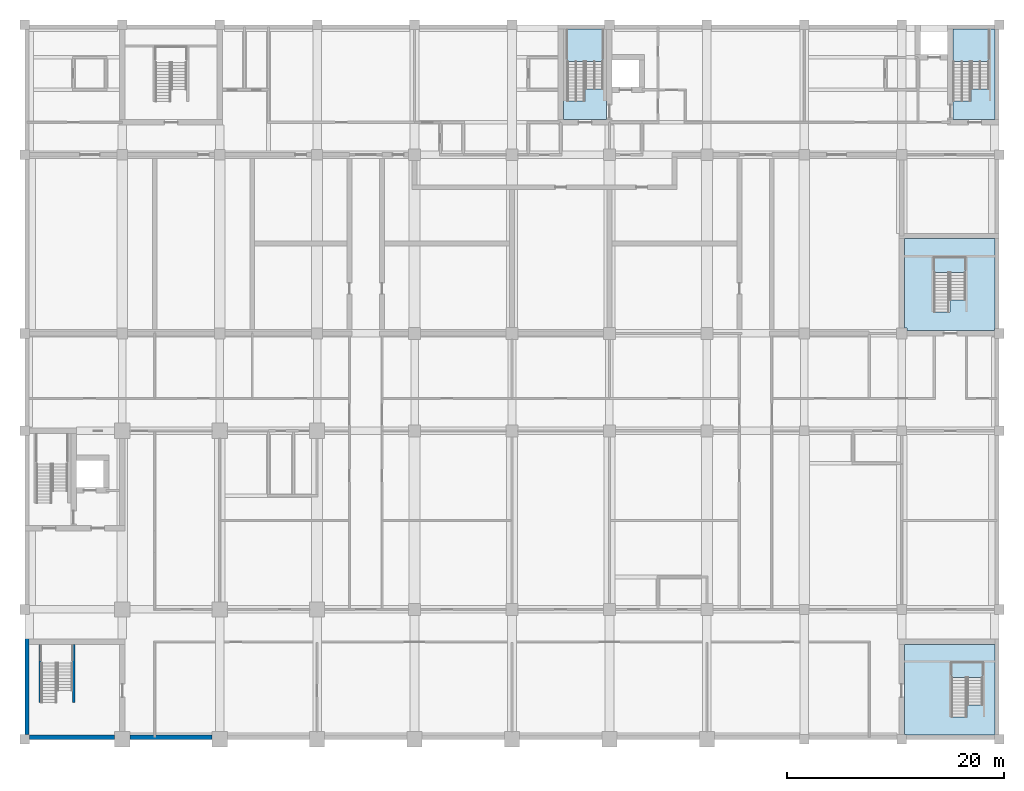
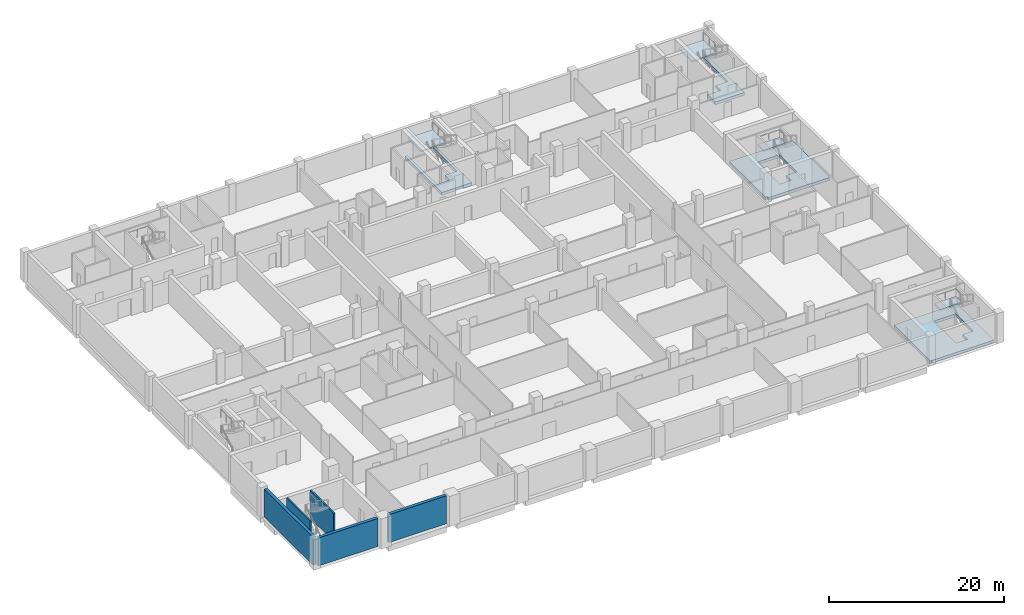
# One storey, part 3 of 16: 8 slabs, 5 walls, 4 elements without a shape of their own.
"""IFC4 building model written with IfcOpenShell, lengths in metres."""

from ifc_helpers import new_model, si_unit, direction, frame, frame_2d, origin, place, context, subcontext, project, spatial, polyline, rectangle, outline, extrude, material, layer, layer_set, type_object, element, aggregate, save


model = new_model("IFC4")

# Units and contexts
model_context = context("Model", 3, precision=1e-05, world=origin(), true_north=direction((0.0, 1.0)))
body_context = subcontext(model_context, "Body", "Model", "MODEL_VIEW")
ifc_project = project(units=[si_unit("LENGTHUNIT", "METRE"), si_unit("AREAUNIT", "SQUARE_METRE"), si_unit("VOLUMEUNIT", "CUBIC_METRE"), si_unit("PLANEANGLEUNIT", "RADIAN"), si_unit("MASSUNIT", "GRAM", prefix="KILO")], contexts=[model_context])

# Site, building, storey
site_placement = place(None, origin())
site = spatial("IfcSite", under=ifc_project, at=site_placement, CompositionType="ELEMENT")
building_placement = place(site_placement, origin())
building = spatial("IfcBuilding", under=site, at=building_placement, Name="Aurelan Courthouse", CompositionType="ELEMENT")
storey_placement = place(building_placement, frame((0.0, 0.0, -4.199951171875)))
storey = spatial("IfcBuildingStorey", under=building, at=storey_placement, Name="B1", CompositionType="ELEMENT", Elevation=-4.199951171875)

# Stair, slab
ifc_material_1 = material(Name="Concrete C30", Category="concrete")
stair_type_1 = type_object("IfcStairType", Name="Half-turn stair 1400 wide 24 risers", PredefinedType="HALF_TURN_STAIR", material=ifc_material_1)
stair_1_placement = place(storey_placement, origin())
stair_1 = element("IfcStair", 1, at=stair_1_placement, inside=storey, type_object=stair_type_1, Name="Stair BS-2-B1", PredefinedType="HALF_TURN_STAIR")
ifc_layer_1 = layer(ifc_material_1, 0.39990234375)
ifc_layer_set_1 = layer_set([ifc_layer_1], Name="Concrete C30")
slab_type_1 = type_object("IfcSlabType", Name="Stair floor landing 400 thick", PredefinedType="LANDING", material=ifc_layer_set_1)
slab_1_placement = place(storey_placement, frame((0.0, 0.0, -0.400146484375)))
slab_1 = element("IfcSlab", 2, at=slab_1_placement, type_object=slab_type_1, Name="Stair BS-2-B1 floor landing", PredefinedType="LANDING", context=body_context, shape_type="SweptSolid", body=[
    extrude(outline(polyline([(89.60009765625, 0.449951171875), (89.550048828125, 0.449951171875), (89.550048828125, 0.39990234375), (81.449951171875, 0.39990234375), (81.449951171875, 0.449951171875), (81.25, 0.449951171875), (81.25, 8.75), (89.60009765625, 8.75), (89.60009765625, 0.449951171875)]), holes=[polyline([(85.590087890625, 7.094970703125), (85.590087890625, 2.055908203125), (87.090087890625, 2.055908203125), (87.090087890625, 3.176025390625), (88.489990234375, 3.176025390625), (88.489990234375, 7.094970703125), (85.590087890625, 7.094970703125)])]), origin(), (0.0, 0.0, 1.0), 0.400146484375),
])

stair_2_placement = place(storey_placement, origin())
stair_2 = element("IfcStair", 3, at=stair_2_placement, inside=storey, type_object=stair_type_1, Name="Stair BS-4-B1", PredefinedType="HALF_TURN_STAIR")
slab_2_placement = place(storey_placement, frame((0.0, 0.0, -0.400146484375)))
slab_2 = element("IfcSlab", 4, at=slab_2_placement, type_object=slab_type_1, Name="Stair BS-4-B1 floor landing", PredefinedType="LANDING", context=body_context, shape_type="SweptSolid", body=[
    extrude(outline(polyline([(89.60009765625, 37.949951171875), (89.550048828125, 37.949951171875), (89.550048828125, 37.75), (81.5, 37.75), (81.5, 38.0), (81.25, 38.0), (81.25, 46.25), (89.60009765625, 46.25), (89.60009765625, 37.949951171875)]), holes=[polyline([(83.97509765625, 44.52001953125), (83.97509765625, 39.48095703125), (85.47509765625, 39.48095703125), (85.47509765625, 40.60107421875), (86.875, 40.60107421875), (86.875, 44.52001953125), (83.97509765625, 44.52001953125)])]), origin(), (0.0, 0.0, 1.0), 0.400146484375),
])

stair_type_2 = type_object("IfcStairType", Name="Half-turn stair 1600 wide 24 risers", PredefinedType="HALF_TURN_STAIR", material=ifc_material_1)
stair_3_placement = place(storey_placement, origin())
stair_3 = element("IfcStair", 5, at=stair_3_placement, inside=storey, type_object=stair_type_2, Name="Stair ST-2A-B1", PredefinedType="HALF_TURN_STAIR")
slab_3_placement = place(storey_placement, frame((0.0, 0.0, -0.400146484375)))
slab_3 = element("IfcSlab", 6, at=slab_3_placement, type_object=slab_type_1, Name="Stair ST-2A-B1 floor landing", PredefinedType="LANDING", context=body_context, shape_type="SweptSolid", body=[
    extrude(outline(polyline([(50.10009765625, 58.9609375), (51.800048828125, 58.9609375), (51.800048828125, 60.0810546875), (53.39990234375, 60.0810546875), (53.39990234375, 65.60009765625), (53.550048828125, 65.60009765625), (53.550048828125, 65.550048828125), (53.75, 65.550048828125), (53.75, 57.25), (49.75, 57.25), (49.75, 65.60009765625), (50.10009765625, 65.60009765625), (50.10009765625, 58.9609375)])), origin(), (0.0, 0.0, 1.0), 0.400146484375),
])

stair_4_placement = place(storey_placement, origin())
stair_4 = element("IfcStair", 7, at=stair_4_placement, inside=storey, type_object=stair_type_2, Name="Stair ST-3B-B1", PredefinedType="HALF_TURN_STAIR")
slab_4_placement = place(storey_placement, frame((0.0, 0.0, -0.400146484375)))
slab_4 = element("IfcSlab", 8, at=slab_4_placement, type_object=slab_type_1, Name="Stair ST-3B-B1 floor landing", PredefinedType="LANDING", context=body_context, shape_type="SweptSolid", body=[
    extrude(outline(polyline([(87.449951171875, 60.0810546875), (89.050048828125, 60.0810546875), (89.050048828125, 65.60009765625), (89.550048828125, 65.60009765625), (89.550048828125, 65.550048828125), (89.60009765625, 65.550048828125), (89.60009765625, 57.25), (85.75, 57.25), (85.75, 58.9609375), (87.449951171875, 58.9609375), (87.449951171875, 60.0810546875)])), origin(), (0.0, 0.0, 1.0), 0.400146484375),
])

# Slab
ifc_layer_2 = layer(ifc_material_1, 0.199951171875)
ifc_layer_set_2 = layer_set([ifc_layer_2], Name="Concrete C30")
slab_type_2 = type_object("IfcSlabType", Name="Stair half landing 200 thick", PredefinedType="LANDING", material=ifc_layer_set_2)
slab_5_placement = place(storey_placement, frame((0.0, 0.0, 2.25)))
slab_5 = element("IfcSlab", 9, at=slab_5_placement, type_object=slab_type_2, Name="Stair BS-2-B1 half landing", PredefinedType="LANDING", context=body_context, shape_type="SweptSolid", body=[
    extrude(outline(polyline([(85.590087890625, 7.094970703125), (88.489990234375, 7.094970703125), (88.489990234375, 5.695068359375), (85.590087890625, 5.695068359375), (85.590087890625, 7.094970703125)])), origin(), (0.0, 0.0, 1.0), 0.199951171875),
])

aggregate(stair_1, [slab_5, slab_1])

slab_6_placement = place(storey_placement, frame((0.0, 0.0, 2.25)))
slab_6 = element("IfcSlab", 10, at=slab_6_placement, type_object=slab_type_2, Name="Stair BS-4-B1 half landing", PredefinedType="LANDING", context=body_context, shape_type="SweptSolid", body=[
    extrude(outline(polyline([(83.97509765625, 44.52001953125), (86.875, 44.52001953125), (86.875, 43.1201171875), (83.97509765625, 43.1201171875), (83.97509765625, 44.52001953125)])), origin(), (0.0, 0.0, 1.0), 0.199951171875),
])

aggregate(stair_2, [slab_6, slab_2])

slab_7_placement = place(storey_placement, frame((0.0, 0.0, 2.25)))
slab_7 = element("IfcSlab", 11, at=slab_7_placement, type_object=slab_type_2, Name="Stair ST-2A-B1 half landing", PredefinedType="LANDING", context=body_context, shape_type="SweptSolid", body=[
    extrude(outline(polyline([(50.10009765625, 65.60009765625), (53.39990234375, 65.60009765625), (53.39990234375, 62.60009765625), (50.10009765625, 62.60009765625), (50.10009765625, 65.60009765625)])), origin(), (0.0, 0.0, 1.0), 0.199951171875),
])

aggregate(stair_3, [slab_7, slab_3])

slab_8_placement = place(storey_placement, frame((0.0, 0.0, 2.25)))
slab_8 = element("IfcSlab", 12, at=slab_8_placement, type_object=slab_type_2, Name="Stair ST-3B-B1 half landing", PredefinedType="LANDING", context=body_context, shape_type="SweptSolid", body=[
    extrude(outline(polyline([(85.75, 65.60009765625), (89.050048828125, 65.60009765625), (89.050048828125, 62.60009765625), (85.75, 62.60009765625), (85.75, 65.60009765625)])), origin(), (0.0, 0.0, 1.0), 0.199951171875),
])

aggregate(stair_4, [slab_8, slab_4])

# Walls
ifc_material_2 = material(Name="Concrete C50", Category="concrete")
ifc_layer_3 = layer(ifc_material_2, 0.39990234375)
ifc_layer_set_3 = layer_set([ifc_layer_3], Name="Concrete C50")
wall_type_1 = type_object("IfcWallType", Name="RC retaining wall 400", PredefinedType="SOLIDWALL", material=ifc_layer_set_3)
wall_1_placement = place(storey_placement, frame((0.449951171875, 0.199951171875, 0.0), z_axis=(0.0, 0.0, 1.0), x_axis=(1.0, 0.0, 0.0)))
element("IfcWall", 13, at=wall_1_placement, inside=storey, type_object=wall_type_1, Name="Retaining wall SW-B1-001", PredefinedType="SOLIDWALL", context=body_context, shape_type="SweptSolid", body=[
    extrude(rectangle(XDim=7.85009765625, YDim=0.39990234375, at=frame_2d((3.925048828125, 0.0))), origin(), (0.0, 0.0, 1.0), 3.89990234375),
])
wall_2_placement = place(storey_placement, frame((9.699951171875, 0.199951171875, 0.0), z_axis=(0.0, 0.0, 1.0), x_axis=(1.0, 0.0, 0.0)))
element("IfcWall", 14, at=wall_2_placement, inside=storey, type_object=wall_type_1, Name="Retaining wall SW-B1-002", PredefinedType="SOLIDWALL", context=body_context, shape_type="SweptSolid", body=[
    extrude(rectangle(XDim=7.60009765625, YDim=0.39990234375, at=frame_2d((3.800048828125, 0.0))), origin(), (0.0, 0.0, 1.0), 3.89990234375),
])
wall_3_placement = place(storey_placement, frame((0.199951171875, 0.449951171875, 0.0), z_axis=(0.0, 0.0, 1.0), x_axis=(0.0, 1.0, 0.0)))
element("IfcWall", 15, at=wall_3_placement, inside=storey, type_object=wall_type_1, Name="Retaining wall SW-B1-011", PredefinedType="SOLIDWALL", context=body_context, shape_type="SweptSolid", body=[
    extrude(rectangle(XDim=11.10009765625, YDim=0.39990234375, at=frame_2d((5.550048828125, 0.0))), origin(), (0.0, 0.0, 1.0), 3.89990234375),
])
ifc_layer_4 = layer(ifc_material_1, 0.199951171875)
ifc_layer_set_4 = layer_set([ifc_layer_4], Name="Concrete C30")
wall_type_2 = type_object("IfcWallType", Name="Stair well wall 200 EI 120 load-bearing", PredefinedType="SHEAR", material=ifc_layer_set_4)
for number, where, z_axis, x_axis, name in (
    (16, (1.409912109375, 3.39990234375, 0.0), (0.0, 0.0, 1.0), (0.0, 1.0, 0.0), "Stair well wall BS-1-B1 A"),
    (17, (4.510009765625, 3.39990234375, 0.0), (0.0, 0.0, 1.0), (0.0, 1.0, 0.0), "Stair well wall BS-1-B1 B"),
):
    element("IfcWall", number, at=place(storey_placement, frame(where, z_axis=z_axis, x_axis=x_axis)), inside=storey, type_object=wall_type_2, Name=name, PredefinedType="SHEAR", context=body_context, shape_type="SweptSolid", body=[
        extrude(rectangle(XDim=5.35009765625, YDim=0.199951171875, at=frame_2d((2.675048828125, 0.0))), origin(), (0.0, 0.0, 1.0), 3.89990234375),
    ])

save(model, "model.ifc")
